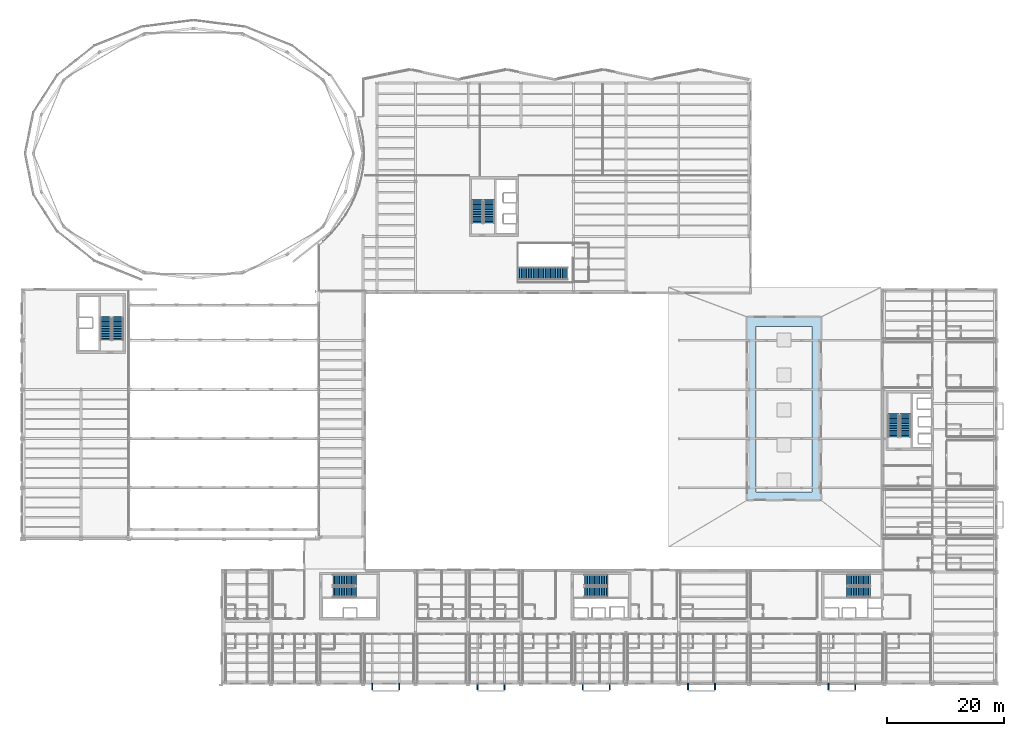
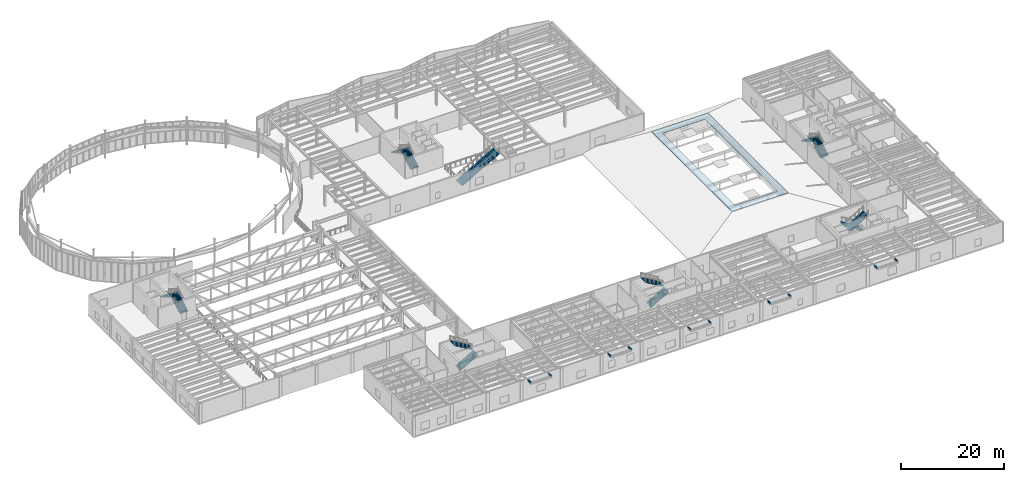
# One storey, part 82 of 91: 13 stair flights, 10 discrete accessories, 1 roof, 7 elements without a shape of their own.
"""IFC4 building model written with IfcOpenShell, lengths in metres."""

from ifc_helpers import new_model, si_unit, direction, frame, origin, origin_2d, place, context, subcontext, project, spatial, polyline, rectangle, outline, extrude, material, layer, layer_set, type_object, element, aggregate, save


model = new_model("IFC4")

# Units and contexts
model_context = context("Model", 3, precision=1e-05, world=origin(), true_north=direction((0.0, 1.0)))
body_context = subcontext(model_context, "Body", "Model", "MODEL_VIEW")
ifc_project = project(units=[si_unit("LENGTHUNIT", "METRE"), si_unit("AREAUNIT", "SQUARE_METRE"), si_unit("VOLUMEUNIT", "CUBIC_METRE"), si_unit("PLANEANGLEUNIT", "RADIAN"), si_unit("MASSUNIT", "GRAM", prefix="KILO")], contexts=[model_context])

# Site, building, storey
site_placement = place(None, origin())
site = spatial("IfcSite", under=ifc_project, at=site_placement, CompositionType="ELEMENT")
building_placement = place(site_placement, origin())
building = spatial("IfcBuilding", under=site, at=building_placement, Name="Sollismere Congress Hotel", CompositionType="ELEMENT")
storey_placement = place(building_placement, frame((0.0, 0.0, 10.800048828125)))
storey = spatial("IfcBuildingStorey", under=building, at=storey_placement, Name="L02", CompositionType="ELEMENT", Elevation=10.800048828125)

# Stair, stair flights
ifc_material_1 = material(Name="Concrete C40/50", Category="concrete")
stair_type_1 = type_object("IfcStairType", Name="STR-DL-480", PredefinedType="HALF_TURN_STAIR", material=ifc_material_1)
stair_1_placement = place(storey_placement, origin())
stair_1 = element("IfcStair", 1, at=stair_1_placement, inside=storey, type_object=stair_type_1, Name="Protected exit stair ST-01-L02", PredefinedType="HALF_TURN_STAIR")
stair_flight_type_1 = type_object("IfcStairFlightType", Name="STF-DL-480", PredefinedType="STRAIGHT", material=ifc_material_1)
stair_flight_1_placement = place(storey_placement, frame((144.75, 17.425048828125, 0.0), z_axis=(0.0, 0.0, 1.0), x_axis=(-1.0, 0.0, 0.0)))
stair_flight_1 = element("IfcStairFlight", 2, at=stair_flight_1_placement, type_object=stair_flight_type_1, Name="Exit stair flight ST-01-L02-F1", NumberOfRisers=14, NumberOfTreads=14, PredefinedType="STRAIGHT", RiserHeight=0.17138671875, TreadLength=0.2900390625, context=body_context, shape_type="SweptSolid", body=[
    extrude(outline(polyline([(0.0, 0.0), (0.0, 0.17138671875), (0.2900390625, 0.17138671875), (0.2900390625, 0.3427734375), (0.580078125, 0.3427734375), (0.580078125, 0.51416015625), (0.8701171875, 0.51416015625), (0.8701171875, 0.685546875), (1.16015625, 0.685546875), (1.16015625, 0.85693359375), (1.4501953125, 0.85693359375), (1.4501953125, 1.0283203125), (1.740234375, 1.0283203125), (1.740234375, 1.19970703125), (2.0302734375, 1.19970703125), (2.0302734375, 1.37109375), (2.3203125, 1.37109375), (2.3203125, 1.54248046875), (2.6103515625, 1.54248046875), (2.6103515625, 1.7138671875), (2.900390625, 1.7138671875), (2.900390625, 1.88525390625), (3.1904296875, 1.88525390625), (3.1904296875, 2.056640625), (3.48046875, 2.056640625), (3.48046875, 2.22802734375), (3.7705078125, 2.22802734375), (3.7705078125, 2.3994140625), (4.060546875, 2.3994140625), (4.060546875, 2.213623046875), (0.314453125, 0.0), (0.0, 0.0)])), frame((0.0, 0.925048828125, 0.0), z_axis=(0.0, -1.0, 0.0), x_axis=(1.0, 0.0, 0.0)), (0.0, 0.0, 1.0), 1.85009765625),
])
stair_flight_2_placement = place(storey_placement, frame((140.68994140625, 15.375, 2.39990234375), z_axis=(0.0, 0.0, 1.0), x_axis=(1.0, 0.0, 0.0)))
stair_flight_2 = element("IfcStairFlight", 3, at=stair_flight_2_placement, type_object=stair_flight_type_1, Name="Exit stair flight ST-01-L02-F2", NumberOfRisers=14, NumberOfTreads=14, PredefinedType="STRAIGHT", RiserHeight=0.17138671875, TreadLength=0.2900390625, context=body_context, shape_type="SweptSolid", body=[
    extrude(outline(polyline([(0.0, 0.0), (0.0, 0.17138671875), (0.2900390625, 0.17138671875), (0.2900390625, 0.3427734375), (0.580078125, 0.3427734375), (0.580078125, 0.51416015625), (0.8701171875, 0.51416015625), (0.8701171875, 0.685546875), (1.16015625, 0.685546875), (1.16015625, 0.85693359375), (1.4501953125, 0.85693359375), (1.4501953125, 1.0283203125), (1.740234375, 1.0283203125), (1.740234375, 1.19970703125), (2.0302734375, 1.19970703125), (2.0302734375, 1.37109375), (2.3203125, 1.37109375), (2.3203125, 1.54248046875), (2.6103515625, 1.54248046875), (2.6103515625, 1.7138671875), (2.900390625, 1.7138671875), (2.900390625, 1.88525390625), (3.1904296875, 1.88525390625), (3.1904296875, 2.056640625), (3.48046875, 2.056640625), (3.48046875, 2.22802734375), (3.7705078125, 2.22802734375), (3.7705078125, 2.3994140625), (4.060546875, 2.3994140625), (4.060546875, 2.213623046875), (0.314453125, 0.0), (0.0, 0.0)])), frame((0.0, 0.925048828125, 0.0), z_axis=(0.0, -1.0, 0.0), x_axis=(1.0, 0.0, 0.0)), (0.0, 0.0, 1.0), 1.85009765625),
])
aggregate(stair_1, [stair_flight_1, stair_flight_2])

stair_2_placement = place(storey_placement, origin())
stair_2 = element("IfcStair", 4, at=stair_2_placement, inside=storey, type_object=stair_type_1, Name="Protected exit stair ST-02-L02", PredefinedType="HALF_TURN_STAIR")
stair_flight_3_placement = place(storey_placement, frame((95.85009765625, 15.375, 0.0), z_axis=(0.0, 0.0, 1.0), x_axis=(1.0, 0.0, 0.0)))
stair_flight_3 = element("IfcStairFlight", 5, at=stair_flight_3_placement, type_object=stair_flight_type_1, Name="Exit stair flight ST-02-L02-F1", NumberOfRisers=14, NumberOfTreads=14, PredefinedType="STRAIGHT", RiserHeight=0.17138671875, TreadLength=0.2900390625, context=body_context, shape_type="SweptSolid", body=[
    extrude(outline(polyline([(0.0, 0.0), (0.0, 0.17138671875), (0.2900390625, 0.17138671875), (0.2900390625, 0.3427734375), (0.580078125, 0.3427734375), (0.580078125, 0.51416015625), (0.8701171875, 0.51416015625), (0.8701171875, 0.685546875), (1.16015625, 0.685546875), (1.16015625, 0.85693359375), (1.4501953125, 0.85693359375), (1.4501953125, 1.0283203125), (1.740234375, 1.0283203125), (1.740234375, 1.19970703125), (2.0302734375, 1.19970703125), (2.0302734375, 1.37109375), (2.3203125, 1.37109375), (2.3203125, 1.54248046875), (2.6103515625, 1.54248046875), (2.6103515625, 1.7138671875), (2.900390625, 1.7138671875), (2.900390625, 1.88525390625), (3.1904296875, 1.88525390625), (3.1904296875, 2.056640625), (3.48046875, 2.056640625), (3.48046875, 2.22802734375), (3.7705078125, 2.22802734375), (3.7705078125, 2.3994140625), (4.060546875, 2.3994140625), (4.060546875, 2.213623046875), (0.314453125, 0.0), (0.0, 0.0)])), frame((0.0, 0.925048828125, 0.0), z_axis=(0.0, -1.0, 0.0), x_axis=(1.0, 0.0, 0.0)), (0.0, 0.0, 1.0), 1.85009765625),
])
stair_flight_4_placement = place(storey_placement, frame((99.909912109375, 17.425048828125, 2.39990234375), z_axis=(0.0, 0.0, 1.0), x_axis=(-1.0, 0.0, 0.0)))
stair_flight_4 = element("IfcStairFlight", 6, at=stair_flight_4_placement, type_object=stair_flight_type_1, Name="Exit stair flight ST-02-L02-F2", NumberOfRisers=14, NumberOfTreads=14, PredefinedType="STRAIGHT", RiserHeight=0.17138671875, TreadLength=0.2900390625, context=body_context, shape_type="SweptSolid", body=[
    extrude(outline(polyline([(0.0, 0.0), (0.0, 0.17138671875), (0.2900390625, 0.17138671875), (0.2900390625, 0.3427734375), (0.580078125, 0.3427734375), (0.580078125, 0.51416015625), (0.8701171875, 0.51416015625), (0.8701171875, 0.685546875), (1.16015625, 0.685546875), (1.16015625, 0.85693359375), (1.4501953125, 0.85693359375), (1.4501953125, 1.0283203125), (1.740234375, 1.0283203125), (1.740234375, 1.19970703125), (2.0302734375, 1.19970703125), (2.0302734375, 1.37109375), (2.3203125, 1.37109375), (2.3203125, 1.54248046875), (2.6103515625, 1.54248046875), (2.6103515625, 1.7138671875), (2.900390625, 1.7138671875), (2.900390625, 1.88525390625), (3.1904296875, 1.88525390625), (3.1904296875, 2.056640625), (3.48046875, 2.056640625), (3.48046875, 2.22802734375), (3.7705078125, 2.22802734375), (3.7705078125, 2.3994140625), (4.060546875, 2.3994140625), (4.060546875, 2.213623046875), (0.314453125, 0.0), (0.0, 0.0)])), frame((0.0, 0.925048828125, 0.0), z_axis=(0.0, -1.0, 0.0), x_axis=(1.0, 0.0, 0.0)), (0.0, 0.0, 1.0), 1.85009765625),
])
aggregate(stair_2, [stair_flight_3, stair_flight_4])

stair_3_placement = place(storey_placement, origin())
stair_3 = element("IfcStair", 7, at=stair_3_placement, inside=storey, type_object=stair_type_1, Name="Protected exit stair ST-03-L02", PredefinedType="HALF_TURN_STAIR")
stair_flight_5_placement = place(storey_placement, frame((150.77490234375, 41.85009765625, 0.0), z_axis=(0.0, 0.0, 1.0), x_axis=(0.0, 1.0, 0.0)))
stair_flight_5 = element("IfcStairFlight", 8, at=stair_flight_5_placement, type_object=stair_flight_type_1, Name="Exit stair flight ST-03-L02-F1", NumberOfRisers=14, NumberOfTreads=14, PredefinedType="STRAIGHT", RiserHeight=0.17138671875, TreadLength=0.2900390625, context=body_context, shape_type="SweptSolid", body=[
    extrude(outline(polyline([(0.0, 0.0), (0.0, 0.17138671875), (0.2900390625, 0.17138671875), (0.2900390625, 0.3427734375), (0.580078125, 0.3427734375), (0.580078125, 0.51416015625), (0.8701171875, 0.51416015625), (0.8701171875, 0.685546875), (1.16015625, 0.685546875), (1.16015625, 0.85693359375), (1.4501953125, 0.85693359375), (1.4501953125, 1.0283203125), (1.740234375, 1.0283203125), (1.740234375, 1.19970703125), (2.0302734375, 1.19970703125), (2.0302734375, 1.37109375), (2.3203125, 1.37109375), (2.3203125, 1.54248046875), (2.6103515625, 1.54248046875), (2.6103515625, 1.7138671875), (2.900390625, 1.7138671875), (2.900390625, 1.88525390625), (3.1904296875, 1.88525390625), (3.1904296875, 2.056640625), (3.48046875, 2.056640625), (3.48046875, 2.22802734375), (3.7705078125, 2.22802734375), (3.7705078125, 2.3994140625), (4.060546875, 2.3994140625), (4.060546875, 2.213623046875), (0.314453125, 0.0), (0.0, 0.0)])), frame((0.0, 0.925048828125, 0.0), z_axis=(0.0, -1.0, 0.0), x_axis=(1.0, 0.0, 0.0)), (0.0, 0.0, 1.0), 1.85009765625),
])
stair_flight_6_placement = place(storey_placement, frame((148.72509765625, 45.909912109375, 2.39990234375), z_axis=(0.0, 0.0, 1.0), x_axis=(0.0, -1.0, 0.0)))
stair_flight_6 = element("IfcStairFlight", 9, at=stair_flight_6_placement, type_object=stair_flight_type_1, Name="Exit stair flight ST-03-L02-F2", NumberOfRisers=14, NumberOfTreads=14, PredefinedType="STRAIGHT", RiserHeight=0.17138671875, TreadLength=0.2900390625, context=body_context, shape_type="SweptSolid", body=[
    extrude(outline(polyline([(0.0, 0.0), (0.0, 0.17138671875), (0.2900390625, 0.17138671875), (0.2900390625, 0.3427734375), (0.580078125, 0.3427734375), (0.580078125, 0.51416015625), (0.8701171875, 0.51416015625), (0.8701171875, 0.685546875), (1.16015625, 0.685546875), (1.16015625, 0.85693359375), (1.4501953125, 0.85693359375), (1.4501953125, 1.0283203125), (1.740234375, 1.0283203125), (1.740234375, 1.19970703125), (2.0302734375, 1.19970703125), (2.0302734375, 1.37109375), (2.3203125, 1.37109375), (2.3203125, 1.54248046875), (2.6103515625, 1.54248046875), (2.6103515625, 1.7138671875), (2.900390625, 1.7138671875), (2.900390625, 1.88525390625), (3.1904296875, 1.88525390625), (3.1904296875, 2.056640625), (3.48046875, 2.056640625), (3.48046875, 2.22802734375), (3.7705078125, 2.22802734375), (3.7705078125, 2.3994140625), (4.060546875, 2.3994140625), (4.060546875, 2.213623046875), (0.314453125, 0.0), (0.0, 0.0)])), frame((0.0, 0.925048828125, 0.0), z_axis=(0.0, -1.0, 0.0), x_axis=(1.0, 0.0, 0.0)), (0.0, 0.0, 1.0), 1.85009765625),
])
aggregate(stair_3, [stair_flight_5, stair_flight_6])

stair_4_placement = place(storey_placement, origin())
stair_4 = element("IfcStair", 10, at=stair_4_placement, inside=storey, type_object=stair_type_1, Name="Protected exit stair ST-04-L02", PredefinedType="HALF_TURN_STAIR")
stair_flight_7_placement = place(storey_placement, frame((79.574951171875, 78.449951171875, 0.0), z_axis=(0.0, 0.0, 1.0), x_axis=(0.0, 1.0, 0.0)))
stair_flight_7 = element("IfcStairFlight", 11, at=stair_flight_7_placement, type_object=stair_flight_type_1, Name="Exit stair flight ST-04-L02-F1", NumberOfRisers=14, NumberOfTreads=14, PredefinedType="STRAIGHT", RiserHeight=0.17138671875, TreadLength=0.2900390625, context=body_context, shape_type="SweptSolid", body=[
    extrude(outline(polyline([(0.0, 0.0), (0.0, 0.17138671875), (0.2900390625, 0.17138671875), (0.2900390625, 0.3427734375), (0.580078125, 0.3427734375), (0.580078125, 0.51416015625), (0.8701171875, 0.51416015625), (0.8701171875, 0.685546875), (1.16015625, 0.685546875), (1.16015625, 0.85693359375), (1.4501953125, 0.85693359375), (1.4501953125, 1.0283203125), (1.740234375, 1.0283203125), (1.740234375, 1.19970703125), (2.0302734375, 1.19970703125), (2.0302734375, 1.37109375), (2.3203125, 1.37109375), (2.3203125, 1.54248046875), (2.6103515625, 1.54248046875), (2.6103515625, 1.7138671875), (2.900390625, 1.7138671875), (2.900390625, 1.88525390625), (3.1904296875, 1.88525390625), (3.1904296875, 2.056640625), (3.48046875, 2.056640625), (3.48046875, 2.22802734375), (3.7705078125, 2.22802734375), (3.7705078125, 2.3994140625), (4.060546875, 2.3994140625), (4.060546875, 2.213623046875), (0.314453125, 0.0), (0.0, 0.0)])), frame((0.0, 0.925048828125, 0.0), z_axis=(0.0, -1.0, 0.0), x_axis=(1.0, 0.0, 0.0)), (0.0, 0.0, 1.0), 1.85009765625),
])
stair_flight_8_placement = place(storey_placement, frame((77.52490234375, 82.510009765625, 2.39990234375), z_axis=(0.0, 0.0, 1.0), x_axis=(0.0, -1.0, 0.0)))
stair_flight_8 = element("IfcStairFlight", 12, at=stair_flight_8_placement, type_object=stair_flight_type_1, Name="Exit stair flight ST-04-L02-F2", NumberOfRisers=14, NumberOfTreads=14, PredefinedType="STRAIGHT", RiserHeight=0.17138671875, TreadLength=0.2900390625, context=body_context, shape_type="SweptSolid", body=[
    extrude(outline(polyline([(0.0, 0.0), (0.0, 0.17138671875), (0.2900390625, 0.17138671875), (0.2900390625, 0.3427734375), (0.580078125, 0.3427734375), (0.580078125, 0.51416015625), (0.8701171875, 0.51416015625), (0.8701171875, 0.685546875), (1.16015625, 0.685546875), (1.16015625, 0.85693359375), (1.4501953125, 0.85693359375), (1.4501953125, 1.0283203125), (1.740234375, 1.0283203125), (1.740234375, 1.19970703125), (2.0302734375, 1.19970703125), (2.0302734375, 1.37109375), (2.3203125, 1.37109375), (2.3203125, 1.54248046875), (2.6103515625, 1.54248046875), (2.6103515625, 1.7138671875), (2.900390625, 1.7138671875), (2.900390625, 1.88525390625), (3.1904296875, 1.88525390625), (3.1904296875, 2.056640625), (3.48046875, 2.056640625), (3.48046875, 2.22802734375), (3.7705078125, 2.22802734375), (3.7705078125, 2.3994140625), (4.060546875, 2.3994140625), (4.060546875, 2.213623046875), (0.314453125, 0.0), (0.0, 0.0)])), frame((0.0, 0.925048828125, 0.0), z_axis=(0.0, -1.0, 0.0), x_axis=(1.0, 0.0, 0.0)), (0.0, 0.0, 1.0), 1.85009765625),
])
aggregate(stair_4, [stair_flight_7, stair_flight_8])

stair_5_placement = place(storey_placement, origin())
stair_5 = element("IfcStair", 13, at=stair_5_placement, inside=storey, type_object=stair_type_1, Name="Protected exit stair ST-05-L02", PredefinedType="HALF_TURN_STAIR")
stair_flight_9_placement = place(storey_placement, frame((16.074951171875, 58.449951171875, 0.0), z_axis=(0.0, 0.0, 1.0), x_axis=(0.0, 1.0, 0.0)))
stair_flight_9 = element("IfcStairFlight", 14, at=stair_flight_9_placement, type_object=stair_flight_type_1, Name="Exit stair flight ST-05-L02-F1", NumberOfRisers=14, NumberOfTreads=14, PredefinedType="STRAIGHT", RiserHeight=0.17138671875, TreadLength=0.2900390625, context=body_context, shape_type="SweptSolid", body=[
    extrude(outline(polyline([(0.0, 0.0), (0.0, 0.17138671875), (0.2900390625, 0.17138671875), (0.2900390625, 0.3427734375), (0.580078125, 0.3427734375), (0.580078125, 0.51416015625), (0.8701171875, 0.51416015625), (0.8701171875, 0.685546875), (1.16015625, 0.685546875), (1.16015625, 0.85693359375), (1.4501953125, 0.85693359375), (1.4501953125, 1.0283203125), (1.740234375, 1.0283203125), (1.740234375, 1.19970703125), (2.0302734375, 1.19970703125), (2.0302734375, 1.37109375), (2.3203125, 1.37109375), (2.3203125, 1.54248046875), (2.6103515625, 1.54248046875), (2.6103515625, 1.7138671875), (2.900390625, 1.7138671875), (2.900390625, 1.88525390625), (3.1904296875, 1.88525390625), (3.1904296875, 2.056640625), (3.48046875, 2.056640625), (3.48046875, 2.22802734375), (3.7705078125, 2.22802734375), (3.7705078125, 2.3994140625), (4.060546875, 2.3994140625), (4.060546875, 2.213623046875), (0.314453125, 0.0), (0.0, 0.0)])), frame((0.0, 0.925048828125, 0.0), z_axis=(0.0, -1.0, 0.0), x_axis=(1.0, 0.0, 0.0)), (0.0, 0.0, 1.0), 1.85009765625),
])
stair_flight_10_placement = place(storey_placement, frame((14.02490234375, 62.510009765625, 2.39990234375), z_axis=(0.0, 0.0, 1.0), x_axis=(0.0, -1.0, 0.0)))
stair_flight_10 = element("IfcStairFlight", 15, at=stair_flight_10_placement, type_object=stair_flight_type_1, Name="Exit stair flight ST-05-L02-F2", NumberOfRisers=14, NumberOfTreads=14, PredefinedType="STRAIGHT", RiserHeight=0.17138671875, TreadLength=0.2900390625, context=body_context, shape_type="SweptSolid", body=[
    extrude(outline(polyline([(0.0, 0.0), (0.0, 0.17138671875), (0.2900390625, 0.17138671875), (0.2900390625, 0.3427734375), (0.580078125, 0.3427734375), (0.580078125, 0.51416015625), (0.8701171875, 0.51416015625), (0.8701171875, 0.685546875), (1.16015625, 0.685546875), (1.16015625, 0.85693359375), (1.4501953125, 0.85693359375), (1.4501953125, 1.0283203125), (1.740234375, 1.0283203125), (1.740234375, 1.19970703125), (2.0302734375, 1.19970703125), (2.0302734375, 1.37109375), (2.3203125, 1.37109375), (2.3203125, 1.54248046875), (2.6103515625, 1.54248046875), (2.6103515625, 1.7138671875), (2.900390625, 1.7138671875), (2.900390625, 1.88525390625), (3.1904296875, 1.88525390625), (3.1904296875, 2.056640625), (3.48046875, 2.056640625), (3.48046875, 2.22802734375), (3.7705078125, 2.22802734375), (3.7705078125, 2.3994140625), (4.060546875, 2.3994140625), (4.060546875, 2.213623046875), (0.314453125, 0.0), (0.0, 0.0)])), frame((0.0, 0.925048828125, 0.0), z_axis=(0.0, -1.0, 0.0), x_axis=(1.0, 0.0, 0.0)), (0.0, 0.0, 1.0), 1.85009765625),
])
aggregate(stair_5, [stair_flight_9, stair_flight_10])

stair_6_placement = place(storey_placement, origin())
stair_6 = element("IfcStair", 16, at=stair_6_placement, inside=storey, type_object=stair_type_1, Name="Protected exit stair ST-06-L02", PredefinedType="HALF_TURN_STAIR")
stair_flight_11_placement = place(storey_placement, frame((52.85009765625, 15.375, 0.0), z_axis=(0.0, 0.0, 1.0), x_axis=(1.0, 0.0, 0.0)))
stair_flight_11 = element("IfcStairFlight", 17, at=stair_flight_11_placement, type_object=stair_flight_type_1, Name="Exit stair flight ST-06-L02-F1", NumberOfRisers=14, NumberOfTreads=14, PredefinedType="STRAIGHT", RiserHeight=0.17138671875, TreadLength=0.2900390625, context=body_context, shape_type="SweptSolid", body=[
    extrude(outline(polyline([(0.0, 0.0), (0.0, 0.17138671875), (0.2900390625, 0.17138671875), (0.2900390625, 0.3427734375), (0.580078125, 0.3427734375), (0.580078125, 0.51416015625), (0.8701171875, 0.51416015625), (0.8701171875, 0.685546875), (1.16015625, 0.685546875), (1.16015625, 0.85693359375), (1.4501953125, 0.85693359375), (1.4501953125, 1.0283203125), (1.740234375, 1.0283203125), (1.740234375, 1.19970703125), (2.0302734375, 1.19970703125), (2.0302734375, 1.37109375), (2.3203125, 1.37109375), (2.3203125, 1.54248046875), (2.6103515625, 1.54248046875), (2.6103515625, 1.7138671875), (2.900390625, 1.7138671875), (2.900390625, 1.88525390625), (3.1904296875, 1.88525390625), (3.1904296875, 2.056640625), (3.48046875, 2.056640625), (3.48046875, 2.22802734375), (3.7705078125, 2.22802734375), (3.7705078125, 2.3994140625), (4.060546875, 2.3994140625), (4.060546875, 2.213623046875), (0.314453125, 0.0), (0.0, 0.0)])), frame((0.0, 0.925048828125, 0.0), z_axis=(0.0, -1.0, 0.0), x_axis=(1.0, 0.0, 0.0)), (0.0, 0.0, 1.0), 1.85009765625),
])
stair_flight_12_placement = place(storey_placement, frame((56.909912109375, 17.425048828125, 2.39990234375), z_axis=(0.0, 0.0, 1.0), x_axis=(-1.0, 0.0, 0.0)))
stair_flight_12 = element("IfcStairFlight", 18, at=stair_flight_12_placement, type_object=stair_flight_type_1, Name="Exit stair flight ST-06-L02-F2", NumberOfRisers=14, NumberOfTreads=14, PredefinedType="STRAIGHT", RiserHeight=0.17138671875, TreadLength=0.2900390625, context=body_context, shape_type="SweptSolid", body=[
    extrude(outline(polyline([(0.0, 0.0), (0.0, 0.17138671875), (0.2900390625, 0.17138671875), (0.2900390625, 0.3427734375), (0.580078125, 0.3427734375), (0.580078125, 0.51416015625), (0.8701171875, 0.51416015625), (0.8701171875, 0.685546875), (1.16015625, 0.685546875), (1.16015625, 0.85693359375), (1.4501953125, 0.85693359375), (1.4501953125, 1.0283203125), (1.740234375, 1.0283203125), (1.740234375, 1.19970703125), (2.0302734375, 1.19970703125), (2.0302734375, 1.37109375), (2.3203125, 1.37109375), (2.3203125, 1.54248046875), (2.6103515625, 1.54248046875), (2.6103515625, 1.7138671875), (2.900390625, 1.7138671875), (2.900390625, 1.88525390625), (3.1904296875, 1.88525390625), (3.1904296875, 2.056640625), (3.48046875, 2.056640625), (3.48046875, 2.22802734375), (3.7705078125, 2.22802734375), (3.7705078125, 2.3994140625), (4.060546875, 2.3994140625), (4.060546875, 2.213623046875), (0.314453125, 0.0), (0.0, 0.0)])), frame((0.0, 0.925048828125, 0.0), z_axis=(0.0, -1.0, 0.0), x_axis=(1.0, 0.0, 0.0)), (0.0, 0.0, 1.0), 1.85009765625),
])
aggregate(stair_6, [stair_flight_11, stair_flight_12])

# Stair, stair flight
ifc_material_2 = material(Name="Steel ASTM A992 Grade 50", Category="steel")
stair_type_2 = type_object("IfcStairType", Name="STR-SR218C", PredefinedType="STRAIGHT_RUN_STAIR", material=ifc_material_2)
stair_7_placement = place(storey_placement, origin())
stair_7 = element("IfcStair", 19, at=stair_7_placement, inside=storey, type_object=stair_type_2, Name="Monumental stair ST-13", PredefinedType="STRAIGHT_RUN_STAIR")
stair_flight_type_2 = type_object("IfcStairFlightType", Name="STF-SR218C", PredefinedType="STRAIGHT", material=ifc_material_2)
stair_flight_13_placement = place(storey_placement, frame((84.510009765625, 69.800048828125, 0.0), z_axis=(0.0, 0.0, 1.0), x_axis=(1.0, 0.0, 0.0)))
stair_flight_13 = element("IfcStairFlight", 20, at=stair_flight_13_placement, type_object=stair_flight_type_2, Name="ST-13 flight 1", NumberOfRisers=29, NumberOfTreads=29, PredefinedType="STRAIGHT", RiserHeight=0.16552734375, TreadLength=0.29248046875, context=body_context, shape_type="SweptSolid", body=[
    extrude(outline(polyline([(0.0, 0.0), (0.0, 0.16552734375), (0.29248046875, 0.16552734375), (0.29248046875, 0.3310546875), (0.5849609375, 0.3310546875), (0.5849609375, 0.49658203125), (0.87744140625, 0.49658203125), (0.87744140625, 0.662109375), (1.169921875, 0.662109375), (1.169921875, 0.82763671875), (1.46240234375, 0.82763671875), (1.46240234375, 0.9931640625), (1.7548828125, 0.9931640625), (1.7548828125, 1.15869140625), (2.04736328125, 1.15869140625), (2.04736328125, 1.32421875), (2.33984375, 1.32421875), (2.33984375, 1.48974609375), (2.63232421875, 1.48974609375), (2.63232421875, 1.6552734375), (2.9248046875, 1.6552734375), (2.9248046875, 1.82080078125), (3.21728515625, 1.82080078125), (3.21728515625, 1.986328125), (3.509765625, 1.986328125), (3.509765625, 2.15185546875), (3.80224609375, 2.15185546875), (3.80224609375, 2.3173828125), (4.0947265625, 2.3173828125), (4.0947265625, 2.48291015625), (4.38720703125, 2.48291015625), (4.38720703125, 2.6484375), (4.6796875, 2.6484375), (4.6796875, 2.81396484375), (4.97216796875, 2.81396484375), (4.97216796875, 2.9794921875), (5.2646484375, 2.9794921875), (5.2646484375, 3.14501953125), (5.55712890625, 3.14501953125), (5.55712890625, 3.310546875), (5.849609375, 3.310546875), (5.849609375, 3.47607421875), (6.14208984375, 3.47607421875), (6.14208984375, 3.6416015625), (6.4345703125, 3.6416015625), (6.4345703125, 3.80712890625), (6.72705078125, 3.80712890625), (6.72705078125, 3.97265625), (7.01953125, 3.97265625), (7.01953125, 4.13818359375), (7.31201171875, 4.13818359375), (7.31201171875, 4.3037109375), (7.6044921875, 4.3037109375), (7.6044921875, 4.46923828125), (7.89697265625, 4.46923828125), (7.89697265625, 4.634765625), (8.189453125, 4.634765625), (8.189453125, 4.80029296875), (8.48193359375, 4.80029296875), (8.48193359375, 4.593505859375), (0.365234375, 0.0), (0.0, 0.0)])), frame((0.0, 1.08984375, 0.0), z_axis=(0.0, -1.0, 0.0), x_axis=(1.0, 0.0, 0.0)), (0.0, 0.0, 1.0), 2.179931640625),
])
aggregate(stair_7, [stair_flight_13])

# Roof
ifc_material_3 = material(Name="Standing-Seam Zinc-Titanium Roofing")
ifc_layer = layer(ifc_material_3, 0.080078125, Name="Standing-Seam Zinc-Titanium Roofing")
ifc_layer_set = layer_set([ifc_layer], Name="Standing-Seam Zinc-Titanium Roofing")
roof_type = type_object("IfcRoofType", Name="RF-HIP", PredefinedType="HIP_ROOF", material=ifc_layer_set)
roof_placement = place(storey_placement, frame((0.0, 0.0, 3.0)))
element("IfcRoof", 21, at=roof_placement, inside=storey, type_object=roof_type, Name="Thermal Spa Hipped Standing-Seam Roof", PredefinedType="HIP_ROOF", context=body_context, shape_type="SweptSolid", body=[
    extrude(outline(polyline([(123.659912109375, 31.06005859375), (136.340087890625, 31.06005859375), (136.340087890625, 62.43994140625), (123.659912109375, 62.43994140625), (123.659912109375, 31.06005859375)]), holes=[polyline([(125.199951171875, 60.800048828125), (134.800048828125, 60.800048828125), (134.800048828125, 32.5), (125.199951171875, 32.5), (125.199951171875, 60.800048828125)])]), origin(), (0.0, 0.0, 1.0), 0.079833984375),
])

# Discrete accessories
ifc_material_4 = material(Name="Steel ASTM A572 Grade 50", Category="steel")
discrete_accessory_type = type_object("IfcDiscreteAccessoryType", Name="BRK-STL", PredefinedType="BRACKET", material=ifc_material_4)
for number, where, z_axis, x_axis, name in (
    (22, (59.60009765625, -0.800048828125, 4.25), (0.0, 0.0, 1.0), (1.0, 0.0, 0.0), "BRK-CK-001"),
    (23, (64.199951171875, -0.800048828125, 4.25), (0.0, 0.0, 1.0), (1.0, 0.0, 0.0), "BRK-CK-002"),
    (24, (77.60009765625, -0.800048828125, 4.25), (0.0, 0.0, 1.0), (1.0, 0.0, 0.0), "BRK-CK-003"),
    (25, (82.199951171875, -0.800048828125, 4.25), (0.0, 0.0, 1.0), (1.0, 0.0, 0.0), "BRK-CK-004"),
    (26, (95.60009765625, -0.800048828125, 4.25), (0.0, 0.0, 1.0), (1.0, 0.0, 0.0), "BRK-CK-005"),
    (27, (100.199951171875, -0.800048828125, 4.25), (0.0, 0.0, 1.0), (1.0, 0.0, 0.0), "BRK-CK-006"),
    (28, (113.60009765625, -0.800048828125, 4.25), (0.0, 0.0, 1.0), (1.0, 0.0, 0.0), "BRK-CK-007"),
    (29, (118.199951171875, -0.800048828125, 4.25), (0.0, 0.0, 1.0), (1.0, 0.0, 0.0), "BRK-CK-008"),
    (30, (137.60009765625, -0.800048828125, 4.25), (0.0, 0.0, 1.0), (1.0, 0.0, 0.0), "BRK-CK-009"),
    (31, (142.199951171875, -0.800048828125, 4.25), (0.0, 0.0, 1.0), (1.0, 0.0, 0.0), "BRK-CK-010"),
):
    element("IfcDiscreteAccessory", number, at=place(storey_placement, frame(where, z_axis=z_axis, x_axis=x_axis)), inside=storey, type_object=discrete_accessory_type, Name=name, PredefinedType="BRACKET", context=body_context, shape_type="SweptSolid", body=[
        extrude(rectangle(XDim=0.219970703125, YDim=1.14990234375, at=origin_2d()), origin(), (0.0, 0.0, 1.0), 0.260009765625),
    ])

save(model, "model.ifc")
